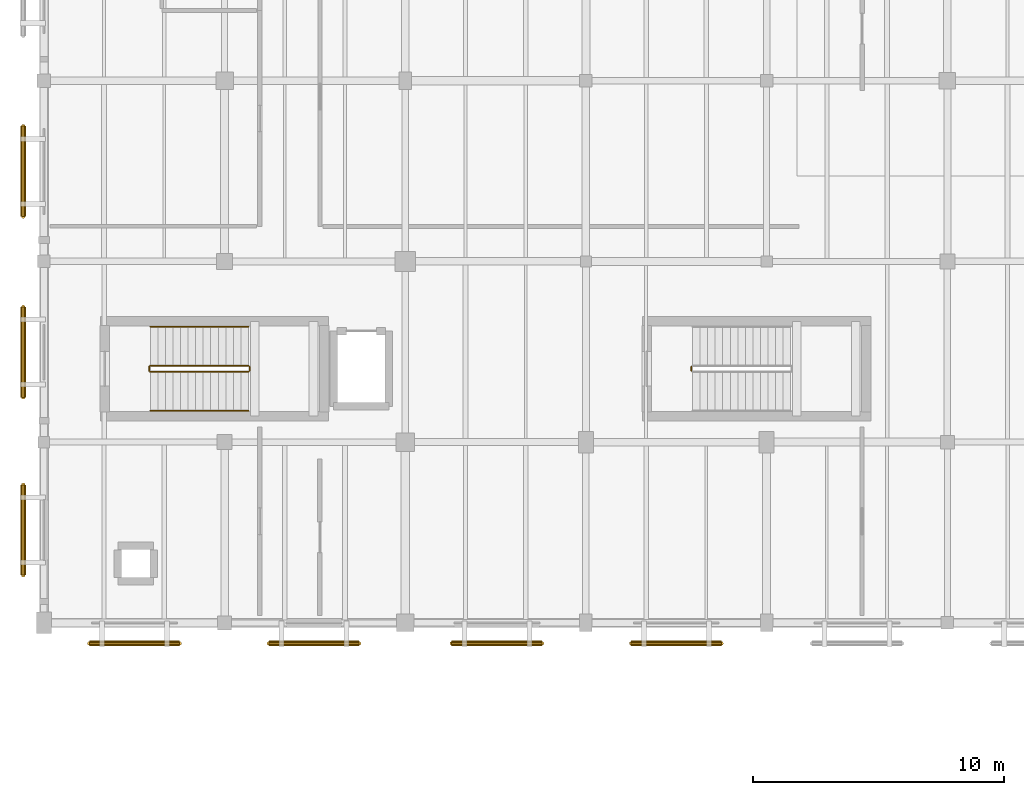
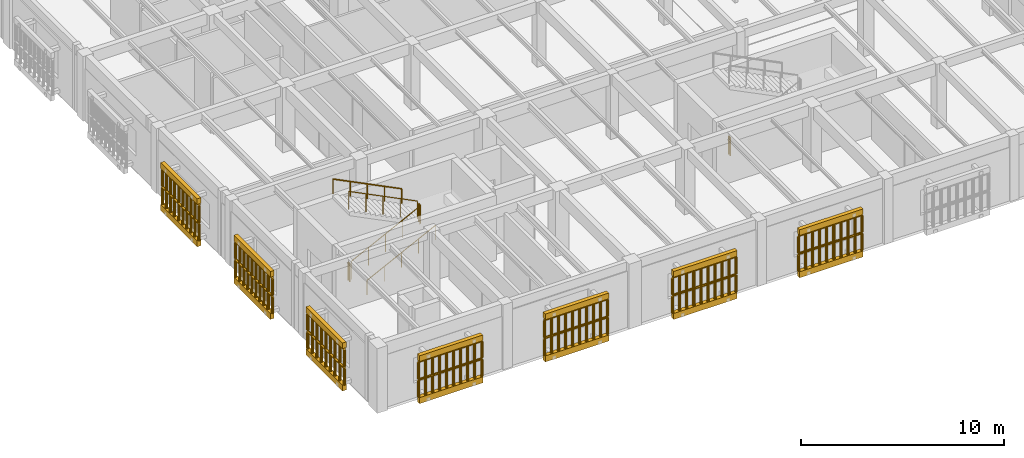
# One storey, part 148 of 170: 21 railings, 14 coverings.
"""IFC4 building model written with IfcOpenShell, lengths in metres."""

from ifc_helpers import new_model, si_unit, direction, frame, origin, origin_2d, place, context, subcontext, project, spatial, polyline, circle, outline, extrude, material, layer, layer_set, type_object, element, save


model = new_model("IFC4")

# Units and contexts
model_context = context("Model", 3, precision=1e-05, world=origin(), true_north=direction((0.0, 1.0)))
body_context = subcontext(model_context, "Body", "Model", "MODEL_VIEW")
ifc_project = project(units=[si_unit("LENGTHUNIT", "METRE"), si_unit("AREAUNIT", "SQUARE_METRE"), si_unit("VOLUMEUNIT", "CUBIC_METRE"), si_unit("PLANEANGLEUNIT", "RADIAN"), si_unit("MASSUNIT", "GRAM", prefix="KILO")], contexts=[model_context])

# Site, building, storey
site_placement = place(None, origin())
site = spatial("IfcSite", under=ifc_project, at=site_placement, CompositionType="ELEMENT")
building_placement = place(site_placement, origin())
building = spatial("IfcBuilding", under=site, at=building_placement, Name="Mazaris Harbour Polytechnic", CompositionType="ELEMENT")
storey_placement = place(building_placement, frame((0.0, 0.0, 5.39990234375)))
storey = spatial("IfcBuildingStorey", under=building, at=storey_placement, Name="L01", CompositionType="ELEMENT", Elevation=5.39990234375)

# Railings
ifc_material_1 = material(Name="Perforated Earth-Coloured Terracotta Block", Category="masonry")
railing_type_1 = type_object("IfcRailingType", Name="Perforated Earth-Block Claustra Lattice 1040", PredefinedType="BALUSTRADE", material=ifc_material_1)
for number, where, name in (
    (1, (5.41259765625, 6.3798828125, 0.52001953125), "V4 L01 Lower Perforated Terracotta Block Screen 155"),
    (2, (5.41259765625, 6.3798828125, 1.60498046875), "V4 L01 Upper Perforated Terracotta Block Screen 155"),
):
    element("IfcRailing", number, at=place(storey_placement, frame(where)), inside=storey, type_object=railing_type_1, Name=name, PredefinedType="BALUSTRADE", context=body_context, shape_type="SweptSolid", body=[
        extrude(circle(Radius=0.06982421875, at=origin_2d()), frame((0.0, 0.0, 1.01513671875), z_axis=(-1.0, 0.0, 0.0), x_axis=(0.0, -1.0, 0.0)), (0.0, 0.0, 1.0), 3.60009765625),
        extrude(circle(Radius=0.074951171875, at=origin_2d()), origin(), (0.0, 0.0, 1.0), 0.945068359375),
        extrude(circle(Radius=0.074951171875, at=origin_2d()), frame((-0.39990234375, 0.0, 0.0)), (0.0, 0.0, 1.0), 0.945068359375),
        extrude(circle(Radius=0.074951171875, at=origin_2d()), frame((-0.800048828125, 0.0, 0.0)), (0.0, 0.0, 1.0), 0.945068359375),
        extrude(circle(Radius=0.074951171875, at=origin_2d()), frame((-1.199951171875, 0.0, 0.0)), (0.0, 0.0, 1.0), 0.945068359375),
        extrude(circle(Radius=0.074951171875, at=origin_2d()), frame((-1.60009765625, 0.0, 0.0)), (0.0, 0.0, 1.0), 0.945068359375),
        extrude(circle(Radius=0.074951171875, at=origin_2d()), frame((-2.0, 0.0, 0.0)), (0.0, 0.0, 1.0), 0.945068359375),
        extrude(circle(Radius=0.074951171875, at=origin_2d()), frame((-2.400146484375, 0.0, 0.0)), (0.0, 0.0, 1.0), 0.945068359375),
        extrude(circle(Radius=0.074951171875, at=origin_2d()), frame((-2.800048828125, 0.0, 0.0)), (0.0, 0.0, 1.0), 0.945068359375),
        extrude(circle(Radius=0.074951171875, at=origin_2d()), frame((-3.2001953125, 0.0, 0.0)), (0.0, 0.0, 1.0), 0.945068359375),
        extrude(circle(Radius=0.074951171875, at=origin_2d()), frame((-3.60009765625, 0.0, 0.0)), (0.0, 0.0, 1.0), 0.945068359375),
    ])
for number, where, name in (
    (3, (12.5625, 6.3798828125, 0.52001953125), "V4 L01 Lower Perforated Terracotta Block Screen 156"),
    (4, (12.5625, 6.3798828125, 1.610107421875), "V4 L01 Upper Perforated Terracotta Block Screen 156"),
    (5, (19.85009765625, 6.3798828125, 0.52001953125), "V4 L01 Lower Perforated Terracotta Block Screen 157"),
    (6, (19.85009765625, 6.3798828125, 1.610107421875), "V4 L01 Upper Perforated Terracotta Block Screen 157"),
    (7, (27.0, 6.3798828125, 0.52001953125), "V4 L01 Lower Perforated Terracotta Block Screen 158"),
    (8, (27.0, 6.3798828125, 1.610107421875), "V4 L01 Upper Perforated Terracotta Block Screen 158"),
):
    element("IfcRailing", number, at=place(storey_placement, frame(where)), inside=storey, type_object=railing_type_1, Name=name, PredefinedType="BALUSTRADE", context=body_context, shape_type="SweptSolid", body=[
        extrude(circle(Radius=0.06982421875, at=origin_2d()), frame((0.0, 0.0, 1.02001953125), z_axis=(-1.0, 0.0, 0.0), x_axis=(0.0, -1.0, 0.0)), (0.0, 0.0, 1.0), 3.60009765625),
        extrude(circle(Radius=0.074951171875, at=origin_2d()), origin(), (0.0, 0.0, 1.0), 0.9501953125),
        extrude(circle(Radius=0.074951171875, at=origin_2d()), frame((-0.39990234375, 0.0, 0.0)), (0.0, 0.0, 1.0), 0.9501953125),
        extrude(circle(Radius=0.074951171875, at=origin_2d()), frame((-0.800048828125, 0.0, 0.0)), (0.0, 0.0, 1.0), 0.9501953125),
        extrude(circle(Radius=0.074951171875, at=origin_2d()), frame((-1.199951171875, 0.0, 0.0)), (0.0, 0.0, 1.0), 0.9501953125),
        extrude(circle(Radius=0.074951171875, at=origin_2d()), frame((-1.60009765625, 0.0, 0.0)), (0.0, 0.0, 1.0), 0.9501953125),
        extrude(circle(Radius=0.074951171875, at=origin_2d()), frame((-2.0, 0.0, 0.0)), (0.0, 0.0, 1.0), 0.9501953125),
        extrude(circle(Radius=0.074951171875, at=origin_2d()), frame((-2.400146484375, 0.0, 0.0)), (0.0, 0.0, 1.0), 0.9501953125),
        extrude(circle(Radius=0.074951171875, at=origin_2d()), frame((-2.800048828125, 0.0, 0.0)), (0.0, 0.0, 1.0), 0.9501953125),
        extrude(circle(Radius=0.074951171875, at=origin_2d()), frame((-3.2001953125, 0.0, 0.0)), (0.0, 0.0, 1.0), 0.9501953125),
        extrude(circle(Radius=0.074951171875, at=origin_2d()), frame((-3.60009765625, 0.0, 0.0)), (0.0, 0.0, 1.0), 0.9501953125),
    ])
for number, where, name in (
    (9, (-0.820068359375, 9.10009765625, 0.52001953125), "V4 L01 Lower Perforated Terracotta Block Screen 167"),
    (10, (-0.820068359375, 9.10009765625, 1.610107421875), "V4 L01 Upper Perforated Terracotta Block Screen 167"),
):
    element("IfcRailing", number, at=place(storey_placement, frame(where)), inside=storey, type_object=railing_type_1, Name=name, PredefinedType="BALUSTRADE", context=body_context, shape_type="SweptSolid", body=[
        extrude(circle(Radius=0.06982421875, at=origin_2d()), frame((0.0, 0.0, 1.02001953125), z_axis=(0.0, 1.0, 0.0), x_axis=(-1.0, 0.0, 0.0)), (0.0, 0.0, 1.0), 3.599853515625),
        extrude(circle(Radius=0.074951171875, at=origin_2d()), origin(), (0.0, 0.0, 1.0), 0.9501953125),
        extrude(circle(Radius=0.074951171875, at=origin_2d()), frame((0.0, 0.449951171875, 0.0)), (0.0, 0.0, 1.0), 0.9501953125),
        extrude(circle(Radius=0.074951171875, at=origin_2d()), frame((0.0, 0.89990234375, 0.0)), (0.0, 0.0, 1.0), 0.9501953125),
        extrude(circle(Radius=0.074951171875, at=origin_2d()), frame((0.0, 1.349853515625, 0.0)), (0.0, 0.0, 1.0), 0.9501953125),
        extrude(circle(Radius=0.074951171875, at=origin_2d()), frame((0.0, 1.7998046875, 0.0)), (0.0, 0.0, 1.0), 0.9501953125),
        extrude(circle(Radius=0.074951171875, at=origin_2d()), frame((0.0, 2.25, 0.0)), (0.0, 0.0, 1.0), 0.9501953125),
        extrude(circle(Radius=0.074951171875, at=origin_2d()), frame((0.0, 2.699951171875, 0.0)), (0.0, 0.0, 1.0), 0.9501953125),
        extrude(circle(Radius=0.074951171875, at=origin_2d()), frame((0.0, 3.14990234375, 0.0)), (0.0, 0.0, 1.0), 0.9501953125),
        extrude(circle(Radius=0.074951171875, at=origin_2d()), frame((0.0, 3.599853515625, 0.0)), (0.0, 0.0, 1.0), 0.9501953125),
    ])
for number, where, name in (
    (11, (-0.820068359375, 16.1875, 0.52001953125), "V4 L01 Lower Perforated Terracotta Block Screen 168"),
    (12, (-0.820068359375, 16.1875, 1.610107421875), "V4 L01 Upper Perforated Terracotta Block Screen 168"),
    (13, (-0.820068359375, 23.387451171875, 0.52001953125), "V4 L01 Lower Perforated Terracotta Block Screen 169"),
    (14, (-0.820068359375, 23.387451171875, 1.610107421875), "V4 L01 Upper Perforated Terracotta Block Screen 169"),
):
    element("IfcRailing", number, at=place(storey_placement, frame(where)), inside=storey, type_object=railing_type_1, Name=name, PredefinedType="BALUSTRADE", context=body_context, shape_type="SweptSolid", body=[
        extrude(circle(Radius=0.06982421875, at=origin_2d()), frame((0.0, 0.0, 1.02001953125), z_axis=(0.0, 1.0, 0.0), x_axis=(-1.0, 0.0, 0.0)), (0.0, 0.0, 1.0), 3.60009765625),
        extrude(circle(Radius=0.074951171875, at=origin_2d()), origin(), (0.0, 0.0, 1.0), 0.9501953125),
        extrude(circle(Radius=0.074951171875, at=origin_2d()), frame((0.0, 0.39990234375, 0.0)), (0.0, 0.0, 1.0), 0.9501953125),
        extrude(circle(Radius=0.074951171875, at=origin_2d()), frame((0.0, 0.800048828125, 0.0)), (0.0, 0.0, 1.0), 0.9501953125),
        extrude(circle(Radius=0.074951171875, at=origin_2d()), frame((0.0, 1.199951171875, 0.0)), (0.0, 0.0, 1.0), 0.9501953125),
        extrude(circle(Radius=0.074951171875, at=origin_2d()), frame((0.0, 1.60009765625, 0.0)), (0.0, 0.0, 1.0), 0.9501953125),
        extrude(circle(Radius=0.074951171875, at=origin_2d()), frame((0.0, 2.0, 0.0)), (0.0, 0.0, 1.0), 0.9501953125),
        extrude(circle(Radius=0.074951171875, at=origin_2d()), frame((0.0, 2.400146484375, 0.0)), (0.0, 0.0, 1.0), 0.9501953125),
        extrude(circle(Radius=0.074951171875, at=origin_2d()), frame((0.0, 2.800048828125, 0.0)), (0.0, 0.0, 1.0), 0.9501953125),
        extrude(circle(Radius=0.074951171875, at=origin_2d()), frame((0.0, 3.2001953125, 0.0)), (0.0, 0.0, 1.0), 0.9501953125),
        extrude(circle(Radius=0.074951171875, at=origin_2d()), frame((0.0, 3.60009765625, 0.0)), (0.0, 0.0, 1.0), 0.9501953125),
    ])
ifc_material_2 = material(Name="Stainless Steel S355", Category="steel")
railing_type_2 = type_object("IfcRailingType", Name="Stair Wall Handrail 900", PredefinedType="HANDRAIL", material=ifc_material_2)
railing_1_placement = place(storey_placement, frame((4.25, 15.64990234375, 0.150146484375)))
element("IfcRailing", 15, at=railing_1_placement, inside=storey, type_object=railing_type_2, Name="L01 ST07 stair handrail 1", PredefinedType="HANDRAIL", context=body_context, shape_type="SweptSolid", body=[
    extrude(circle(Radius=0.02392578125, at=origin_2d()), frame((0.0, 0.0, 0.8759765625), z_axis=(0.894427191, 0.0, 0.4472135955), x_axis=(0.0, 1.0, 0.0)), (0.0, 0.0, 1.0), 4.360107421875),
    extrude(circle(Radius=0.02099609375, at=origin_2d()), origin(), (0.0, 0.0, 1.0), 0.851806640625),
    extrude(circle(Radius=0.02099609375, at=origin_2d()), frame((0.97509765625, 0.0, 0.487548828125)), (0.0, 0.0, 1.0), 0.851806640625),
    extrude(circle(Radius=0.02099609375, at=origin_2d()), frame((1.949951171875, 0.0, 0.97509765625)), (0.0, 0.0, 1.0), 0.851806640625),
    extrude(circle(Radius=0.02099609375, at=origin_2d()), frame((2.9248046875, 0.0, 1.46240234375)), (0.0, 0.0, 1.0), 0.851806640625),
    extrude(circle(Radius=0.02099609375, at=origin_2d()), frame((3.89990234375, 0.0, 1.949951171875)), (0.0, 0.0, 1.0), 0.851806640625),
])
railing_2_placement = place(storey_placement, frame((8.14990234375, 19.0, 2.25)))
element("IfcRailing", 16, at=railing_2_placement, inside=storey, type_object=railing_type_2, Name="L01 ST07 stair handrail 2", PredefinedType="HANDRAIL", context=body_context, shape_type="SweptSolid", body=[
    extrude(circle(Radius=0.02392578125, at=origin_2d()), frame((0.0, 0.0, 0.8759765625), z_axis=(-0.894404793364, 0.0, 0.447258387967), x_axis=(0.0, -1.0, 0.0)), (0.0, 0.0, 1.0), 4.3603515625),
    extrude(circle(Radius=0.02099609375, at=origin_2d()), origin(), (0.0, 0.0, 1.0), 0.851806640625),
    extrude(circle(Radius=0.02099609375, at=origin_2d()), frame((-0.97509765625, 0.0, 0.487548828125)), (0.0, 0.0, 1.0), 0.851806640625),
    extrude(circle(Radius=0.02099609375, at=origin_2d()), frame((-1.949951171875, 0.0, 0.97509765625)), (0.0, 0.0, 1.0), 0.851806640625),
    extrude(circle(Radius=0.02099609375, at=origin_2d()), frame((-2.9248046875, 0.0, 1.462646484375)), (0.0, 0.0, 1.0), 0.851806640625),
    extrude(circle(Radius=0.02099609375, at=origin_2d()), frame((-3.89990234375, 0.0, 1.9501953125)), (0.0, 0.0, 1.0), 0.851806640625),
])
ifc_material_3 = material(Name="Steel S355", Category="steel")
railing_type_3 = type_object("IfcRailingType", Name="Stair Well Guardrail 1100", PredefinedType="GUARDRAIL", material=ifc_material_3)
railing_3_placement = place(storey_placement, frame((4.25, 17.199951171875, 0.150146484375)))
element("IfcRailing", 17, at=railing_3_placement, inside=storey, type_object=railing_type_3, Name="L01 ST07 stair guard 1", PredefinedType="GUARDRAIL", context=body_context, shape_type="SweptSolid", body=[
    extrude(circle(Radius=0.02392578125, at=origin_2d()), frame((0.0, 0.0, 1.076171875), z_axis=(0.894427191, 0.0, 0.4472135955), x_axis=(0.0, 1.0, 0.0)), (0.0, 0.0, 1.0), 4.360107421875),
    extrude(circle(Radius=0.02099609375, at=origin_2d()), origin(), (0.0, 0.0, 1.0), 1.052001953125),
    extrude(circle(Radius=0.02099609375, at=origin_2d()), frame((0.97509765625, 0.0, 0.487548828125)), (0.0, 0.0, 1.0), 1.052001953125),
    extrude(circle(Radius=0.02099609375, at=origin_2d()), frame((1.949951171875, 0.0, 0.97509765625)), (0.0, 0.0, 1.0), 1.052001953125),
    extrude(circle(Radius=0.02099609375, at=origin_2d()), frame((2.9248046875, 0.0, 1.46240234375)), (0.0, 0.0, 1.0), 1.052001953125),
    extrude(circle(Radius=0.02099609375, at=origin_2d()), frame((3.89990234375, 0.0, 1.949951171875)), (0.0, 0.0, 1.0), 1.052001953125),
])
railing_4_placement = place(storey_placement, frame((8.199951171875, 17.25, 2.10009765625)))
element("IfcRailing", 18, at=railing_4_placement, inside=storey, type_object=railing_type_3, Name="L01 ST07 stair guard 2", PredefinedType="GUARDRAIL", context=body_context, shape_type="SweptSolid", body=[
    extrude(circle(Radius=0.02392578125, at=origin_2d()), frame((0.0, 0.0, 1.076171875), z_axis=(0.0, 1.0, 0.0), x_axis=(-1.0, 0.0, 0.0)), (0.0, 0.0, 1.0), 0.14990234375),
    extrude(circle(Radius=0.02099609375, at=origin_2d()), origin(), (0.0, 0.0, 1.0), 1.052001953125),
    extrude(circle(Radius=0.02099609375, at=origin_2d()), frame((0.0, 0.14990234375, 0.0)), (0.0, 0.0, 1.0), 1.052001953125),
])
railing_5_placement = place(storey_placement, frame((8.14990234375, 17.449951171875, 2.25)))
element("IfcRailing", 19, at=railing_5_placement, inside=storey, type_object=railing_type_3, Name="L01 ST07 stair guard 3", PredefinedType="GUARDRAIL", context=body_context, shape_type="SweptSolid", body=[
    extrude(circle(Radius=0.02392578125, at=origin_2d()), frame((0.0, 0.0, 1.076171875), z_axis=(-0.894404793364, 0.0, 0.447258387967), x_axis=(0.0, -1.0, 0.0)), (0.0, 0.0, 1.0), 4.3603515625),
    extrude(circle(Radius=0.02099609375, at=origin_2d()), origin(), (0.0, 0.0, 1.0), 1.052001953125),
    extrude(circle(Radius=0.02099609375, at=origin_2d()), frame((-0.97509765625, 0.0, 0.487548828125)), (0.0, 0.0, 1.0), 1.052001953125),
    extrude(circle(Radius=0.02099609375, at=origin_2d()), frame((-1.949951171875, 0.0, 0.97509765625)), (0.0, 0.0, 1.0), 1.052001953125),
    extrude(circle(Radius=0.02099609375, at=origin_2d()), frame((-2.9248046875, 0.0, 1.462646484375)), (0.0, 0.0, 1.0), 1.052001953125),
    extrude(circle(Radius=0.02099609375, at=origin_2d()), frame((-3.89990234375, 0.0, 1.9501953125)), (0.0, 0.0, 1.0), 1.052001953125),
])
for number, where, name in (
    (20, (4.199951171875, 17.25, 0.0), "L01 ST07 stair guard 4"),
    (21, (25.800048828125, 17.25, 0.0), "L01 ST08 stair guard 4"),
):
    element("IfcRailing", number, at=place(storey_placement, frame(where)), inside=storey, type_object=railing_type_3, Name=name, PredefinedType="GUARDRAIL", context=body_context, shape_type="SweptSolid", body=[
        extrude(circle(Radius=0.02392578125, at=origin_2d()), frame((0.0, 0.0, 1.076171875), z_axis=(0.0, 1.0, 0.0), x_axis=(-1.0, 0.0, 0.0)), (0.0, 0.0, 1.0), 0.14990234375),
        extrude(circle(Radius=0.02099609375, at=origin_2d()), origin(), (0.0, 0.0, 1.0), 1.052001953125),
        extrude(circle(Radius=0.02099609375, at=origin_2d()), frame((0.0, 0.14990234375, 0.0)), (0.0, 0.0, 1.0), 1.052001953125),
    ])

# Coverings
ifc_material_4 = material(Name="Perforated Earth-Coloured Terracotta Block", Category="masonry")
ifc_layer = layer(ifc_material_4, 0.219970703125, Name="Perforated Earth-Coloured Terracotta Block")
ifc_layer_set = layer_set([ifc_layer], Name="Perforated Earth-Coloured Terracotta Block")
covering_type = type_object("IfcCoveringType", Name="Terracotta Screen Course Cladding 220", PredefinedType="CLADDING", material=ifc_layer_set)
covering_1_placement = place(storey_placement, frame((0.0, 0.0, 0.16015625)))
element("IfcCovering", 22, at=covering_1_placement, inside=storey, type_object=covering_type, Name="V4 L01 Perforated Screen Sill Course 155", PredefinedType="CLADDING", context=body_context, shape_type="SweptSolid", body=[
    extrude(outline(polyline([(5.41259765625, 6.489990234375), (1.8125, 6.489990234375), (1.8125, 6.27001953125), (5.41259765625, 6.27001953125), (5.41259765625, 6.489990234375)])), origin(), (0.0, 0.0, 1.0), 0.35986328125),
])
covering_2_placement = place(storey_placement, frame((0.0, 0.0, 2.690185546875)))
element("IfcCovering", 23, at=covering_2_placement, inside=storey, type_object=covering_type, Name="V4 L01 Perforated Screen Lintel Course 155", PredefinedType="CLADDING", context=body_context, shape_type="SweptSolid", body=[
    extrude(outline(polyline([(5.41259765625, 6.489990234375), (1.8125, 6.489990234375), (1.8125, 6.27001953125), (5.41259765625, 6.27001953125), (5.41259765625, 6.489990234375)])), origin(), (0.0, 0.0, 1.0), 0.33984375),
])
covering_3_placement = place(storey_placement, frame((0.0, 0.0, 0.16015625)))
element("IfcCovering", 24, at=covering_3_placement, inside=storey, type_object=covering_type, Name="V4 L01 Perforated Screen Sill Course 156", PredefinedType="CLADDING", context=body_context, shape_type="SweptSolid", body=[
    extrude(outline(polyline([(12.5625, 6.489990234375), (8.96240234375, 6.489990234375), (8.96240234375, 6.27001953125), (12.5625, 6.27001953125), (12.5625, 6.489990234375)])), origin(), (0.0, 0.0, 1.0), 0.35986328125),
])
covering_4_placement = place(storey_placement, frame((0.0, 0.0, 2.7001953125)))
element("IfcCovering", 25, at=covering_4_placement, inside=storey, type_object=covering_type, Name="V4 L01 Perforated Screen Lintel Course 156", PredefinedType="CLADDING", context=body_context, shape_type="SweptSolid", body=[
    extrude(outline(polyline([(12.5625, 6.489990234375), (8.96240234375, 6.489990234375), (8.96240234375, 6.27001953125), (12.5625, 6.27001953125), (12.5625, 6.489990234375)])), origin(), (0.0, 0.0, 1.0), 0.33984375),
])
covering_5_placement = place(storey_placement, frame((0.0, 0.0, 0.16015625)))
element("IfcCovering", 26, at=covering_5_placement, inside=storey, type_object=covering_type, Name="V4 L01 Perforated Screen Sill Course 157", PredefinedType="CLADDING", context=body_context, shape_type="SweptSolid", body=[
    extrude(outline(polyline([(19.85009765625, 6.489990234375), (16.25, 6.489990234375), (16.25, 6.27001953125), (19.85009765625, 6.27001953125), (19.85009765625, 6.489990234375)])), origin(), (0.0, 0.0, 1.0), 0.35986328125),
])
covering_6_placement = place(storey_placement, frame((0.0, 0.0, 2.7001953125)))
element("IfcCovering", 27, at=covering_6_placement, inside=storey, type_object=covering_type, Name="V4 L01 Perforated Screen Lintel Course 157", PredefinedType="CLADDING", context=body_context, shape_type="SweptSolid", body=[
    extrude(outline(polyline([(19.85009765625, 6.489990234375), (16.25, 6.489990234375), (16.25, 6.27001953125), (19.85009765625, 6.27001953125), (19.85009765625, 6.489990234375)])), origin(), (0.0, 0.0, 1.0), 0.33984375),
])
covering_7_placement = place(storey_placement, frame((0.0, 0.0, 0.16015625)))
element("IfcCovering", 28, at=covering_7_placement, inside=storey, type_object=covering_type, Name="V4 L01 Perforated Screen Sill Course 158", PredefinedType="CLADDING", context=body_context, shape_type="SweptSolid", body=[
    extrude(outline(polyline([(27.0, 6.489990234375), (23.39990234375, 6.489990234375), (23.39990234375, 6.27001953125), (27.0, 6.27001953125), (27.0, 6.489990234375)])), origin(), (0.0, 0.0, 1.0), 0.35986328125),
])
covering_8_placement = place(storey_placement, frame((0.0, 0.0, 2.7001953125)))
element("IfcCovering", 29, at=covering_8_placement, inside=storey, type_object=covering_type, Name="V4 L01 Perforated Screen Lintel Course 158", PredefinedType="CLADDING", context=body_context, shape_type="SweptSolid", body=[
    extrude(outline(polyline([(27.0, 6.489990234375), (23.39990234375, 6.489990234375), (23.39990234375, 6.27001953125), (27.0, 6.27001953125), (27.0, 6.489990234375)])), origin(), (0.0, 0.0, 1.0), 0.33984375),
])
covering_9_placement = place(storey_placement, frame((0.0, 0.0, 0.16015625)))
element("IfcCovering", 30, at=covering_9_placement, inside=storey, type_object=covering_type, Name="V4 L01 Perforated Screen Sill Course 167", PredefinedType="CLADDING", context=body_context, shape_type="SweptSolid", body=[
    extrude(outline(polyline([(-0.7099609375, 9.10009765625), (-0.7099609375, 12.699951171875), (-0.929931640625, 12.699951171875), (-0.929931640625, 9.10009765625), (-0.7099609375, 9.10009765625)])), origin(), (0.0, 0.0, 1.0), 0.35986328125),
])
covering_10_placement = place(storey_placement, frame((0.0, 0.0, 2.7001953125)))
element("IfcCovering", 31, at=covering_10_placement, inside=storey, type_object=covering_type, Name="V4 L01 Perforated Screen Lintel Course 167", PredefinedType="CLADDING", context=body_context, shape_type="SweptSolid", body=[
    extrude(outline(polyline([(-0.7099609375, 9.10009765625), (-0.7099609375, 12.699951171875), (-0.929931640625, 12.699951171875), (-0.929931640625, 9.10009765625), (-0.7099609375, 9.10009765625)])), origin(), (0.0, 0.0, 1.0), 0.33984375),
])
covering_11_placement = place(storey_placement, frame((0.0, 0.0, 0.16015625)))
element("IfcCovering", 32, at=covering_11_placement, inside=storey, type_object=covering_type, Name="V4 L01 Perforated Screen Sill Course 168", PredefinedType="CLADDING", context=body_context, shape_type="SweptSolid", body=[
    extrude(outline(polyline([(-0.7099609375, 16.1875), (-0.7099609375, 19.78759765625), (-0.929931640625, 19.78759765625), (-0.929931640625, 16.1875), (-0.7099609375, 16.1875)])), origin(), (0.0, 0.0, 1.0), 0.35986328125),
])
covering_12_placement = place(storey_placement, frame((0.0, 0.0, 2.7001953125)))
element("IfcCovering", 33, at=covering_12_placement, inside=storey, type_object=covering_type, Name="V4 L01 Perforated Screen Lintel Course 168", PredefinedType="CLADDING", context=body_context, shape_type="SweptSolid", body=[
    extrude(outline(polyline([(-0.7099609375, 16.1875), (-0.7099609375, 19.78759765625), (-0.929931640625, 19.78759765625), (-0.929931640625, 16.1875), (-0.7099609375, 16.1875)])), origin(), (0.0, 0.0, 1.0), 0.33984375),
])
covering_13_placement = place(storey_placement, frame((0.0, 0.0, 0.16015625)))
element("IfcCovering", 34, at=covering_13_placement, inside=storey, type_object=covering_type, Name="V4 L01 Perforated Screen Sill Course 169", PredefinedType="CLADDING", context=body_context, shape_type="SweptSolid", body=[
    extrude(outline(polyline([(-0.7099609375, 23.387451171875), (-0.7099609375, 26.987548828125), (-0.929931640625, 26.987548828125), (-0.929931640625, 23.387451171875), (-0.7099609375, 23.387451171875)])), origin(), (0.0, 0.0, 1.0), 0.35986328125),
])
covering_14_placement = place(storey_placement, frame((0.0, 0.0, 2.7001953125)))
element("IfcCovering", 35, at=covering_14_placement, inside=storey, type_object=covering_type, Name="V4 L01 Perforated Screen Lintel Course 169", PredefinedType="CLADDING", context=body_context, shape_type="SweptSolid", body=[
    extrude(outline(polyline([(-0.7099609375, 23.387451171875), (-0.7099609375, 26.987548828125), (-0.929931640625, 26.987548828125), (-0.929931640625, 23.387451171875), (-0.7099609375, 23.387451171875)])), origin(), (0.0, 0.0, 1.0), 0.33984375),
])

save(model, "model.ifc")
